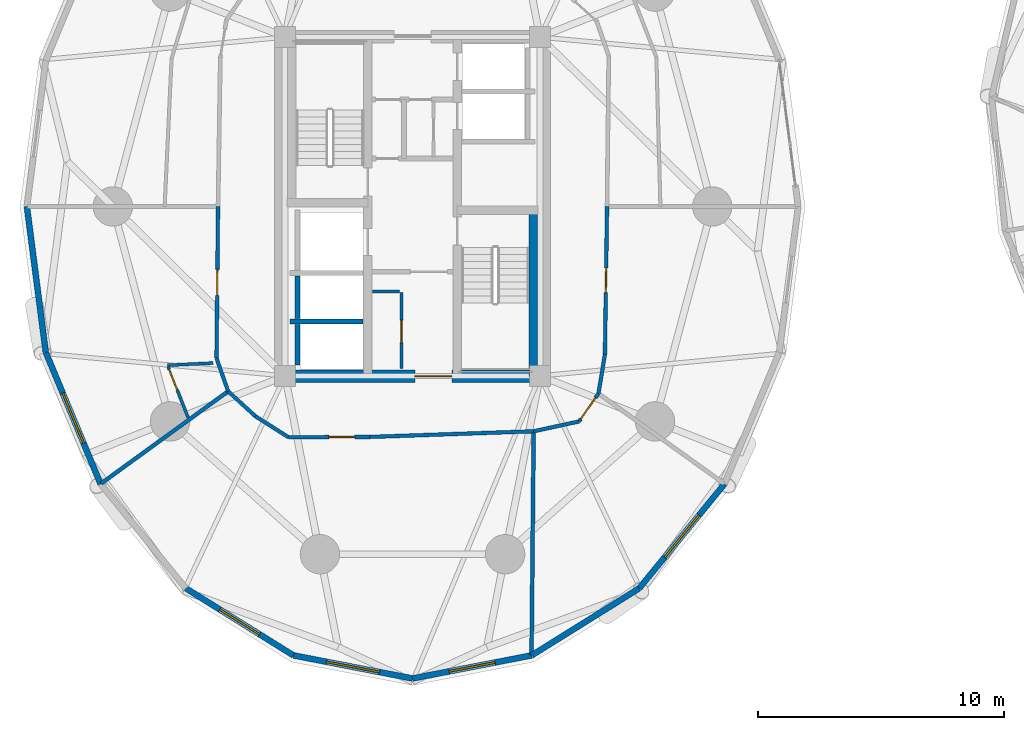
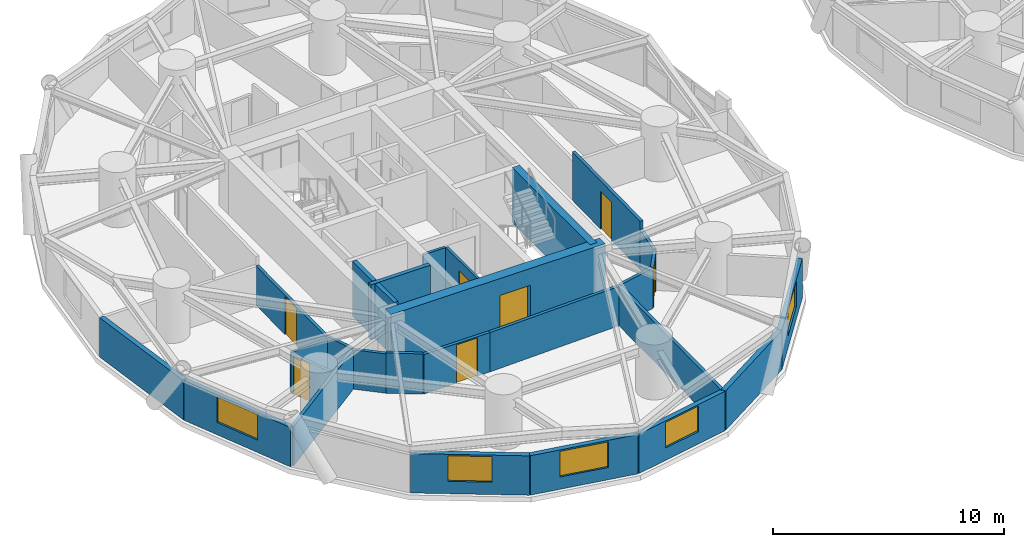
# One storey, part 8 of 16: 28 walls, 7 doors, 5 windows, 12 openings.
"""IFC4 building model written with IfcOpenShell, lengths in metres."""

from ifc_helpers import new_model, si_unit, direction, frame, frame_2d, origin, place, context, subcontext, project, spatial, rectangle, extrude, source, transform, mapped, material, layer, layer_set, type_object, element, fill, save


model = new_model("IFC4")

# Units and contexts
model_context = context("Model", 3, precision=1e-05, world=origin(), true_north=direction((0.0, 1.0)))
body_context = subcontext(model_context, "Body", "Model", "MODEL_VIEW")
ifc_project = project(units=[si_unit("LENGTHUNIT", "METRE"), si_unit("AREAUNIT", "SQUARE_METRE"), si_unit("VOLUMEUNIT", "CUBIC_METRE"), si_unit("PLANEANGLEUNIT", "RADIAN"), si_unit("MASSUNIT", "GRAM", prefix="KILO")], contexts=[model_context])

# Site, building, storey
site_placement = place(None, origin())
site = spatial("IfcSite", under=ifc_project, at=site_placement, CompositionType="ELEMENT")
building_placement = place(site_placement, origin())
building = spatial("IfcBuilding", under=site, at=building_placement, Name="Cununo Teusaquillo Station Towers", CompositionType="ELEMENT")
storey_placement = place(building_placement, frame((0.0, 0.0, 62.739990234375)))
storey = spatial("IfcBuildingStorey", under=building, at=storey_placement, Name="L19", CompositionType="ELEMENT", Elevation=62.739990234375)

# Walls
ifc_material_1 = material(Name="Concrete C50/60", Category="concrete")
ifc_layer_1 = layer(ifc_material_1, 0.199951171875)
ifc_layer_set_1 = layer_set([ifc_layer_1], Name="Concrete C50/60")
wall_type_1 = type_object("IfcWallType", Name="WL-CORE-200", PredefinedType="SHEAR", material=ifc_layer_set_1)
wall_1_placement = place(storey_placement, frame((11.52001953125, 19.824951171875, 0.0), z_axis=(0.0, 0.0, 1.0), x_axis=(1.0, 0.0, 0.0)))
element("IfcWall", 1, at=wall_1_placement, inside=storey, type_object=wall_type_1, Name="L19 Tower A High-Rise Lift Hoistway Divider Shear Wall", PredefinedType="SHEAR", context=body_context, shape_type="SweptSolid", body=[
    extrude(rectangle(XDim=2.969970703125, YDim=0.199951171875, at=frame_2d((1.48486328125, 0.0))), origin(), (0.0, 0.0, 1.0), 2.909912109375),
])
wall_2_placement = place(storey_placement, frame((11.820068359375, 19.945068359375, 0.0), z_axis=(0.0, 0.0, 1.0), x_axis=(0.0, 1.0, 0.0)))
element("IfcWall", 2, at=wall_2_placement, inside=storey, type_object=wall_type_1, Name="L19 Tower A High-Rise Lift 2 Shaft Rear Shear Wall", PredefinedType="SHEAR", context=body_context, shape_type="SweptSolid", body=[
    extrude(rectangle(XDim=1.73486328125, YDim=0.199951171875, at=frame_2d((0.867431640625, 0.0))), origin(), (0.0, 0.0, 1.0), 2.909912109375),
])
wall_3_placement = place(storey_placement, frame((11.820068359375, 18.070068359375, 0.0), z_axis=(0.0, 0.0, 1.0), x_axis=(0.0, 1.0, 0.0)))
element("IfcWall", 3, at=wall_3_placement, inside=storey, type_object=wall_type_1, Name="L19 Tower A High-Rise Lift 1 Shaft Rear Shear Wall", PredefinedType="SHEAR", context=body_context, shape_type="SweptSolid", body=[
    extrude(rectangle(XDim=1.635009765625, YDim=0.199951171875, at=frame_2d((0.8173828125, 0.0))), origin(), (0.0, 0.0, 1.0), 2.909912109375),
])
ifc_material_2 = material(Name="Concrete C50/60", Category="concrete")
ifc_layer_2 = layer(ifc_material_2, 0.35009765625)
ifc_layer_set_2 = layer_set([ifc_layer_2], Name="Concrete C50/60")
wall_type_2 = type_object("IfcWallType", Name="WL-CORE-350", PredefinedType="SHEAR", material=ifc_layer_set_2)
wall_4_placement = place(storey_placement, frame((21.405029296875, 17.60009765625, 0.0), z_axis=(0.0, 0.0, 1.0), x_axis=(0.0, 1.0, 0.0)))
element("IfcWall", 4, at=wall_4_placement, inside=storey, type_object=wall_type_2, Name="L19 Tower A Core Shear Wall ST2E", PredefinedType="SHEAR", context=body_context, shape_type="SweptSolid", body=[
    extrude(rectangle(XDim=6.744873046875, YDim=0.35009765625, at=frame_2d((3.37255859375, 0.0))), origin(), (0.0, 0.0, 1.0), 2.909912109375),
])

# Wall, opening, door
ifc_material_3 = material(Name="Concrete C60/75", Category="concrete")
ifc_layer_3 = layer(ifc_material_3, 0.5)
ifc_layer_set_3 = layer_set([ifc_layer_3], Name="Concrete C60/75")
wall_type_3 = type_object("IfcWallType", Name="WL-CORE-500", PredefinedType="SHEAR", material=ifc_layer_set_3)
wall_5_placement = place(storey_placement, frame((11.14990234375, 17.60009765625, 0.0), z_axis=(0.0, 0.0, 1.0), x_axis=(1.0, 0.0, 0.0)))
wall_5 = element("IfcWall", 5, at=wall_5_placement, inside=storey, type_object=wall_type_3, Name="L19 Tower A Core Shear Wall S", PredefinedType="SHEAR", context=body_context, shape_type="SweptSolid", body=[
    extrude(rectangle(XDim=10.7001953125, YDim=0.5, at=frame_2d((5.35009765625, 0.0))), origin(), (0.0, 0.0, 1.0), 2.909912109375),
])
shared_shape_1 = source(origin(), body_context, "Body", "SweptSolid", [
    extrude(rectangle(XDim=1.5, YDim=2.02001953125, at=frame_2d((0.75, 1.010009765625))), frame((0.0, 0.260009765625, 0.0), z_axis=(0.0, -1.0, 0.0), x_axis=(1.0, 0.0, 0.0)), (0.0, 0.0, 1.0), 0.52001953125),
])
opening_1_placement = place(wall_5_placement, frame((5.449951171875, 0.0, 0.0)))
opening_1 = element("IfcOpeningElement", 6, at=opening_1_placement, cuts=wall_5, Name="Opening D-LB1", PredefinedType="OPENING", context=body_context, shape_type="MappedRepresentation", body=[
    mapped(shared_shape_1, transform((0.0, 0.0, 0.0), x_axis=(1.0, 0.0, 0.0), y_axis=(0.0, 1.0, 0.0), z_axis=(0.0, 0.0, 1.0), scale=1.0)),
])
ifc_material_4 = material(Name="Galvanised fire-rated hollow steel door assembly", Category="steel")
door_type_1 = type_object("IfcDoorType", Name="DR-LOBBY-1500", OperationType="DOUBLE_DOOR_SINGLE_SWING", PredefinedType="DOOR", material=ifc_material_4)
shared_shape_2 = source(origin(), body_context, "Body", "SweptSolid", [
    extrude(rectangle(XDim=1.5, YDim=2.02001953125, at=frame_2d((0.75, 1.010009765625))), frame((0.0, 0.02490234375, 0.0), z_axis=(0.0, -1.0, 0.0), x_axis=(1.0, 0.0, 0.0)), (0.0, 0.0, 1.0), 0.050048828125),
])
door_1_placement = place(opening_1_placement, origin())
door_1 = element("IfcDoor", 7, at=door_1_placement, inside=storey, type_object=door_type_1, Name="L19 Tower A South Core Lift Lobby Door", OperationType="DOUBLE_DOOR_SINGLE_SWING", OverallHeight=2.02001953125, OverallWidth=1.5, PredefinedType="DOOR", context=body_context, shape_type="MappedRepresentation", body=[
    mapped(shared_shape_2, transform((0.0, 0.0, 0.0), x_axis=(1.0, 0.0, 0.0), y_axis=(0.0, 1.0, 0.0), z_axis=(0.0, 0.0, 1.0), scale=1.0)),
])
fill(opening_1, door_1)

# Wall
ifc_material_5 = material(Name="Precast concrete C40/50", Category="concrete")
ifc_layer_4 = layer(ifc_material_5, 0.239990234375)
ifc_layer_set_4 = layer_set([ifc_layer_4], Name="Precast concrete C40/50")
wall_type_4 = type_object("IfcWallType", Name="WL-EXT-240", PredefinedType="SOLIDWALL", material=ifc_layer_set_4)
wall_6_placement = place(storey_placement, frame((1.603515625, 18.576171875, 0.0), z_axis=(0.0, 0.0, 1.0), x_axis=(-0.128339641463, 0.991730274031, 0.0)))
element("IfcWall", 8, at=wall_6_placement, inside=storey, type_object=wall_type_4, Name="L19 Tower A Exterior Facade Wall C10", PredefinedType="SOLIDWALL", context=body_context, shape_type="SweptSolid", body=[
    extrude(rectangle(XDim=5.97314453125, YDim=0.239990234375, at=frame_2d((2.986572265625, 0.0))), origin(), (0.0, 0.0, 1.0), 2.0791015625),
])

# Wall, opening, window
wall_7_placement = place(storey_placement, frame((3.828369140625, 13.232177734375, 0.0), z_axis=(0.0, 0.0, 1.0), x_axis=(-0.384348836956, 0.923187939442, 0.0)))
wall_7 = element("IfcWall", 9, at=wall_7_placement, inside=storey, type_object=wall_type_4, Name="L19 Tower A Exterior Facade Wall C11", PredefinedType="SOLIDWALL", context=body_context, shape_type="SweptSolid", body=[
    extrude(rectangle(XDim=5.78857421875, YDim=0.239990234375, at=frame_2d((2.894287109375, 0.0))), origin(), (0.0, 0.0, 1.0), 2.0791015625),
])
shared_shape_3 = source(origin(), body_context, "Body", "SweptSolid", [
    extrude(rectangle(XDim=2.199951171875, YDim=1.35009765625, at=frame_2d((1.10009765625, 0.675048828125))), frame((0.0, 0.1298828125, 0.0), z_axis=(0.0, -1.0, 0.0), x_axis=(1.0, 0.0, 0.0)), (0.0, 0.0, 1.0), 0.260009765625),
])
opening_2_placement = place(wall_7_placement, frame((1.7939453125, 0.0, 0.64990234375)))
opening_2 = element("IfcOpeningElement", 10, at=opening_2_placement, cuts=wall_7, Name="Opening WN-01", PredefinedType="OPENING", context=body_context, shape_type="MappedRepresentation", body=[
    mapped(shared_shape_3, transform((0.0, 0.0, 0.0), x_axis=(1.0, 0.0, 0.0), y_axis=(0.0, 1.0, 0.0), z_axis=(0.0, 0.0, 1.0), scale=1.0)),
])
ifc_material_6 = material(Name="Ceramic-fritted dark low-E double glazing", Category="glass")
window_type_1 = type_object("IfcWindowType", Name="WIN-FRIT-2200", PartitioningType="DOUBLE_PANEL_VERTICAL", PredefinedType="WINDOW", material=ifc_material_6)
shared_shape_4 = source(origin(), body_context, "Body", "SweptSolid", [
    extrude(rectangle(XDim=2.199951171875, YDim=1.35009765625, at=frame_2d((1.10009765625, 0.675048828125))), frame((0.0, 0.030029296875, 0.0), z_axis=(0.0, -1.0, 0.0), x_axis=(1.0, 0.0, 0.0)), (0.0, 0.0, 1.0), 0.06005859375),
])
window_1_placement = place(opening_2_placement, origin())
window_1 = element("IfcWindow", 11, at=window_1_placement, inside=storey, type_object=window_type_1, Name="L19 Tower A Facade Window C11", OverallHeight=1.35009765625, OverallWidth=2.199951171875, PartitioningType="DOUBLE_PANEL_VERTICAL", PredefinedType="WINDOW", context=body_context, shape_type="MappedRepresentation", body=[
    mapped(shared_shape_4, transform((0.0, 0.0, 0.0), x_axis=(1.0, 0.0, 0.0), y_axis=(0.0, 1.0, 0.0), z_axis=(0.0, 0.0, 1.0), scale=1.0)),
])
fill(opening_2, window_1)

wall_8_placement = place(storey_placement, frame((11.659912109375, 6.268310546875, 0.0), z_axis=(0.0, 0.0, 1.0), x_axis=(-0.848533613342, 0.529141481107, 0.0)))
wall_8 = element("IfcWall", 12, at=wall_8_placement, inside=storey, type_object=wall_type_4, Name="L19 Tower A Exterior Facade Wall C13", PredefinedType="SOLIDWALL", context=body_context, shape_type="SweptSolid", body=[
    extrude(rectangle(XDim=5.14599609375, YDim=0.239990234375, at=frame_2d((2.572998046875, 0.0))), origin(), (0.0, 0.0, 1.0), 2.0791015625),
])
shared_shape_5 = source(origin(), body_context, "Body", "SweptSolid", [
    extrude(rectangle(XDim=1.89990234375, YDim=1.35009765625, at=frame_2d((0.949951171875, 0.675048828125))), frame((0.0, 0.1298828125, 0.0), z_axis=(0.0, -1.0, 0.0), x_axis=(1.0, 0.0, 0.0)), (0.0, 0.0, 1.0), 0.260009765625),
])
opening_3_placement = place(wall_8_placement, frame((1.623046875, 0.0, 0.64990234375)))
opening_3 = element("IfcOpeningElement", 13, at=opening_3_placement, cuts=wall_8, Name="Opening WN-02", PredefinedType="OPENING", context=body_context, shape_type="MappedRepresentation", body=[
    mapped(shared_shape_5, transform((0.0, 0.0, 0.0), x_axis=(1.0, 0.0, 0.0), y_axis=(0.0, 1.0, 0.0), z_axis=(0.0, 0.0, 1.0), scale=1.0)),
])
ifc_material_7 = material(Name="Operable acoustic tinted low-E double glazing", Category="glass")
window_type_2 = type_object("IfcWindowType", Name="WIN-OPER-1900", PartitioningType="DOUBLE_PANEL_VERTICAL", PredefinedType="WINDOW", material=ifc_material_7)
shared_shape_6 = source(origin(), body_context, "Body", "SweptSolid", [
    extrude(rectangle(XDim=1.89990234375, YDim=1.35009765625, at=frame_2d((0.949951171875, 0.675048828125))), frame((0.0, 0.030029296875, 0.0), z_axis=(0.0, -1.0, 0.0), x_axis=(1.0, 0.0, 0.0)), (0.0, 0.0, 1.0), 0.06005859375),
])
window_2_placement = place(opening_3_placement, origin())
window_2 = element("IfcWindow", 14, at=window_2_placement, inside=storey, type_object=window_type_2, Name="L19 Tower A Facade Window C13", OverallHeight=1.35009765625, OverallWidth=1.89990234375, PartitioningType="DOUBLE_PANEL_VERTICAL", PredefinedType="WINDOW", context=body_context, shape_type="MappedRepresentation", body=[
    mapped(shared_shape_6, transform((0.0, 0.0, 0.0), x_axis=(1.0, 0.0, 0.0), y_axis=(0.0, 1.0, 0.0), z_axis=(0.0, 0.0, 1.0), scale=1.0)),
])
fill(opening_3, window_2)

wall_9_placement = place(storey_placement, frame((16.5, 5.330078125, 0.0), z_axis=(0.0, 0.0, 1.0), x_axis=(-0.981725274071, 0.190303668512, 0.0)))
wall_9 = element("IfcWall", 15, at=wall_9_placement, inside=storey, type_object=wall_type_4, Name="L19 Tower A Exterior Facade Wall C14", PredefinedType="SOLIDWALL", context=body_context, shape_type="SweptSolid", body=[
    extrude(rectangle(XDim=4.93017578125, YDim=0.239990234375, at=frame_2d((2.465087890625, 0.0))), origin(), (0.0, 0.0, 1.0), 2.0791015625),
])
opening_4_placement = place(wall_9_placement, frame((1.364990234375, 0.0, 0.64990234375)))
opening_4 = element("IfcOpeningElement", 16, at=opening_4_placement, cuts=wall_9, Name="Opening WN-01", PredefinedType="OPENING", context=body_context, shape_type="MappedRepresentation", body=[
    mapped(shared_shape_3, transform((0.0, 0.0, 0.0), x_axis=(1.0, 0.0, 0.0), y_axis=(0.0, 1.0, 0.0), z_axis=(0.0, 0.0, 1.0), scale=1.0)),
])
window_3_placement = place(opening_4_placement, origin())
window_3 = element("IfcWindow", 17, at=window_3_placement, inside=storey, type_object=window_type_1, Name="L19 Tower A Facade Window C14", OverallHeight=1.35009765625, OverallWidth=2.199951171875, PartitioningType="DOUBLE_PANEL_VERTICAL", PredefinedType="WINDOW", context=body_context, shape_type="MappedRepresentation", body=[
    mapped(shared_shape_4, transform((0.0, 0.0, 0.0), x_axis=(1.0, 0.0, 0.0), y_axis=(0.0, 1.0, 0.0), z_axis=(0.0, 0.0, 1.0), scale=1.0)),
])
fill(opening_4, window_3)

wall_10_placement = place(storey_placement, frame((21.340087890625, 6.268310546875, 0.0), z_axis=(0.0, 0.0, 1.0), x_axis=(-0.981725274071, -0.190303668512, 0.0)))
wall_10 = element("IfcWall", 18, at=wall_10_placement, inside=storey, type_object=wall_type_4, Name="L19 Tower A Exterior Facade Wall C15", PredefinedType="SOLIDWALL", context=body_context, shape_type="SweptSolid", body=[
    extrude(rectangle(XDim=4.93017578125, YDim=0.239990234375, at=frame_2d((2.465087890625, 0.0))), origin(), (0.0, 0.0, 1.0), 2.0791015625),
])
opening_5_placement = place(wall_10_placement, frame((1.514892578125, 0.0, 0.64990234375)))
opening_5 = element("IfcOpeningElement", 19, at=opening_5_placement, cuts=wall_10, Name="Opening WN-02", PredefinedType="OPENING", context=body_context, shape_type="MappedRepresentation", body=[
    mapped(shared_shape_5, transform((0.0, 0.0, 0.0), x_axis=(1.0, 0.0, 0.0), y_axis=(0.0, 1.0, 0.0), z_axis=(0.0, 0.0, 1.0), scale=1.0)),
])
window_4_placement = place(opening_5_placement, origin())
window_4 = element("IfcWindow", 20, at=window_4_placement, inside=storey, type_object=window_type_2, Name="L19 Tower A Facade Window C15", OverallHeight=1.35009765625, OverallWidth=1.89990234375, PartitioningType="DOUBLE_PANEL_VERTICAL", PredefinedType="WINDOW", context=body_context, shape_type="MappedRepresentation", body=[
    mapped(shared_shape_6, transform((0.0, 0.0, 0.0), x_axis=(1.0, 0.0, 0.0), y_axis=(0.0, 1.0, 0.0), z_axis=(0.0, 0.0, 1.0), scale=1.0)),
])
fill(opening_5, window_4)

# Wall
wall_11_placement = place(storey_placement, frame((25.70654296875, 8.9912109375, 0.0), z_axis=(0.0, 0.0, 1.0), x_axis=(-0.848533613342, -0.529141481107, 0.0)))
element("IfcWall", 21, at=wall_11_placement, inside=storey, type_object=wall_type_4, Name="L19 Tower A Exterior Facade Wall C16", PredefinedType="SOLIDWALL", context=body_context, shape_type="SweptSolid", body=[
    extrude(rectangle(XDim=5.14599609375, YDim=0.239990234375, at=frame_2d((2.572998046875, 0.0))), origin(), (0.0, 0.0, 1.0), 2.0791015625),
])

# Wall, opening, window
wall_12_placement = place(storey_placement, frame((29.171630859375, 13.232177734375, 0.0), z_axis=(0.0, 0.0, 1.0), x_axis=(-0.632713287022, -0.77438614168, 0.0)))
wall_12 = element("IfcWall", 22, at=wall_12_placement, inside=storey, type_object=wall_type_4, Name="L19 Tower A Exterior Facade Wall C17", PredefinedType="SOLIDWALL", context=body_context, shape_type="SweptSolid", body=[
    extrude(rectangle(XDim=5.4765625, YDim=0.239990234375, at=frame_2d((2.73828125, 0.0))), origin(), (0.0, 0.0, 1.0), 2.0791015625),
])
opening_6_placement = place(wall_12_placement, frame((1.637939453125, 0.0, 0.64990234375)))
opening_6 = element("IfcOpeningElement", 23, at=opening_6_placement, cuts=wall_12, Name="Opening WN-01", PredefinedType="OPENING", context=body_context, shape_type="MappedRepresentation", body=[
    mapped(shared_shape_3, transform((0.0, 0.0, 0.0), x_axis=(1.0, 0.0, 0.0), y_axis=(0.0, 1.0, 0.0), z_axis=(0.0, 0.0, 1.0), scale=1.0)),
])
window_5_placement = place(opening_6_placement, origin())
window_5 = element("IfcWindow", 24, at=window_5_placement, inside=storey, type_object=window_type_1, Name="L19 Tower A Facade Window C17", OverallHeight=1.35009765625, OverallWidth=2.199951171875, PartitioningType="DOUBLE_PANEL_VERTICAL", PredefinedType="WINDOW", context=body_context, shape_type="MappedRepresentation", body=[
    mapped(shared_shape_4, transform((0.0, 0.0, 0.0), x_axis=(1.0, 0.0, 0.0), y_axis=(0.0, 1.0, 0.0), z_axis=(0.0, 0.0, 1.0), scale=1.0)),
])
fill(opening_6, window_5)

# Wall, opening, door
ifc_material_8 = material(Name="Fire-rated gypsum plasterboard partition assembly", Category="gypsum")
ifc_layer_5 = layer(ifc_material_8, 0.125)
ifc_layer_set_5 = layer_set([ifc_layer_5], Name="Fire-rated gypsum plasterboard partition assembly")
wall_type_5 = type_object("IfcWallType", Name="WL-PART-125", PredefinedType="PARTITIONING", material=ifc_layer_set_5)
wall_13_placement = place(storey_placement, frame((16.050048828125, 17.919921875, 0.0), z_axis=(0.0, 0.0, 1.0), x_axis=(0.0, 1.0, 0.0)))
wall_13 = element("IfcWall", 25, at=wall_13_placement, inside=storey, type_object=wall_type_5, Name="L19 Tower A South-West Tall Store East Wall", PredefinedType="PARTITIONING", context=body_context, shape_type="SweptSolid", body=[
    extrude(rectangle(XDim=3.080078125, YDim=0.125, at=frame_2d((1.5400390625, 0.0))), origin(), (0.0, 0.0, 1.0), 2.554931640625),
])
shared_shape_7 = source(origin(), body_context, "Body", "SweptSolid", [
    extrude(rectangle(XDim=0.89990234375, YDim=2.0048828125, at=frame_2d((0.449951171875, 1.00244140625))), frame((0.0, 0.072509765625, 0.0), z_axis=(0.0, -1.0, 0.0), x_axis=(1.0, 0.0, 0.0)), (0.0, 0.0, 1.0), 0.14501953125),
])
opening_7_placement = place(wall_13_placement, frame((1.050048828125, 0.0, 0.0)))
opening_7 = element("IfcOpeningElement", 26, at=opening_7_placement, cuts=wall_13, Name="Opening D-SR1", PredefinedType="OPENING", context=body_context, shape_type="MappedRepresentation", body=[
    mapped(shared_shape_7, transform((0.0, 0.0, 0.0), x_axis=(1.0, 0.0, 0.0), y_axis=(0.0, 1.0, 0.0), z_axis=(0.0, 0.0, 1.0), scale=1.0)),
])
ifc_material_9 = material(Name="Galvanised fire-rated hollow steel door assembly", Category="steel")
door_type_2 = type_object("IfcDoorType", Name="DR-STORE-900", OperationType="NOTDEFINED", PredefinedType="DOOR", material=ifc_material_9)
shared_shape_8 = source(origin(), body_context, "Body", "SweptSolid", [
    extrude(rectangle(XDim=0.89990234375, YDim=2.0048828125, at=frame_2d((0.449951171875, 1.00244140625))), frame((0.0, 0.02490234375, 0.0), z_axis=(0.0, -1.0, 0.0), x_axis=(1.0, 0.0, 0.0)), (0.0, 0.0, 1.0), 0.050048828125),
])
door_2_placement = place(opening_7_placement, origin())
door_2 = element("IfcDoor", 27, at=door_2_placement, inside=storey, type_object=door_type_2, Name="L19 Tower A South Cleaners Store Door", OperationType="SINGLE_SWING_RIGHT", OverallHeight=2.0048828125, OverallWidth=0.89990234375, PredefinedType="DOOR", context=body_context, shape_type="MappedRepresentation", body=[
    mapped(shared_shape_8, transform((0.0, 0.0, 0.0), x_axis=(1.0, 0.0, 0.0), y_axis=(0.0, 1.0, 0.0), z_axis=(0.0, 0.0, 1.0), scale=1.0)),
])
fill(opening_7, door_2)

# Walls
wall_14_placement = place(storey_placement, frame((14.8798828125, 21.050048828125, 0.0), z_axis=(0.0, 0.0, 1.0), x_axis=(1.0, 0.0, 0.0)))
element("IfcWall", 28, at=wall_14_placement, inside=storey, type_object=wall_type_5, Name="L19 Tower A South-West Tall Store North Wall", PredefinedType="PARTITIONING", context=body_context, shape_type="SweptSolid", body=[
    extrude(rectangle(XDim=1.10009765625, YDim=0.125, at=frame_2d((0.550048828125, 0.0))), origin(), (0.0, 0.0, 1.0), 2.554931640625),
])
wall_15_placement = place(storey_placement, frame((8.404296875, 18.140380859375, 0.0), z_axis=(0.0, 0.0, 1.0), x_axis=(-0.998892680948, -0.047046912219, 0.0)))
element("IfcWall", 29, at=wall_15_placement, inside=storey, type_object=wall_type_5, Name="L19 Tower A S04 En-suite Side Wall", PredefinedType="PARTITIONING", context=body_context, shape_type="SweptSolid", body=[
    extrude(rectangle(XDim=1.857666015625, YDim=0.125, at=frame_2d((0.9287109375, 0.0))), origin(), (0.0, 0.0, 1.0), 2.125),
])

# Wall, opening, door
wall_16_placement = place(storey_placement, frame((6.57373046875, 17.988525390625, 0.0), z_axis=(0.0, 0.0, 1.0), x_axis=(0.365563636102, -0.930786349255, 0.0)))
wall_16 = element("IfcWall", 30, at=wall_16_placement, inside=storey, type_object=wall_type_5, Name="L19 Tower A S04 En-suite Back Wall", PredefinedType="PARTITIONING", context=body_context, shape_type="SweptSolid", body=[
    extrude(rectangle(XDim=2.213134765625, YDim=0.125, at=frame_2d((1.1064453125, 0.0))), origin(), (0.0, 0.0, 1.0), 2.0791015625),
])
opening_8_placement = place(wall_16_placement, frame((0.1201171875, 0.0, 0.0)))
opening_8 = element("IfcOpeningElement", 31, at=opening_8_placement, cuts=wall_16, Name="Opening D-IN1", PredefinedType="OPENING", context=body_context, shape_type="MappedRepresentation", body=[
    mapped(shared_shape_7, transform((0.0, 0.0, 0.0), x_axis=(1.0, 0.0, 0.0), y_axis=(0.0, 1.0, 0.0), z_axis=(0.0, 0.0, 1.0), scale=1.0)),
])
ifc_material_10 = material(Name="Acoustic solid-core hardwood leaf assembly", Category="wood")
door_type_3 = type_object("IfcDoorType", Name="DR-INT-900", OperationType="NOTDEFINED", PredefinedType="DOOR", material=ifc_material_10)
door_3_placement = place(opening_8_placement, origin())
door_3 = element("IfcDoor", 32, at=door_3_placement, inside=storey, type_object=door_type_3, Name="L19 Tower A S04 En-suite Bathroom Door", OperationType="SINGLE_SWING_LEFT", OverallHeight=2.0048828125, OverallWidth=0.89990234375, PredefinedType="DOOR", context=body_context, shape_type="MappedRepresentation", body=[
    mapped(shared_shape_8, transform((0.0, 0.0, 0.0), x_axis=(1.0, 0.0, 0.0), y_axis=(0.0, 1.0, 0.0), z_axis=(0.0, 0.0, 1.0), scale=1.0)),
])
fill(opening_8, door_3)

ifc_material_11 = material(Name="Fire-rated gypsum plasterboard partition assembly", Category="gypsum")
ifc_layer_6 = layer(ifc_material_11, 0.14990234375)
ifc_layer_set_6 = layer_set([ifc_layer_6], Name="Fire-rated gypsum plasterboard partition assembly")
wall_type_6 = type_object("IfcWallType", Name="WL-PART-150", PredefinedType="PARTITIONING", material=ifc_layer_set_6)
wall_17_placement = place(storey_placement, frame((8.60009765625, 24.5, 0.0), z_axis=(0.0, 0.0, 1.0), x_axis=(-0.010023665349, -0.999949761805, 0.0)))
wall_17 = element("IfcWall", 33, at=wall_17_placement, inside=storey, type_object=wall_type_6, Name="L19 Tower A Corridor Ring Wall C10", PredefinedType="PARTITIONING", context=body_context, shape_type="SweptSolid", body=[
    extrude(rectangle(XDim=6.162109375, YDim=0.14990234375, at=frame_2d((3.0810546875, 0.0))), origin(), (0.0, 0.0, 1.0), 2.0791015625),
])
shared_shape_9 = source(origin(), body_context, "Body", "SweptSolid", [
    extrude(rectangle(XDim=1.050048828125, YDim=2.014892578125, at=frame_2d((0.52490234375, 1.00732421875))), frame((0.0, 0.0849609375, 0.0), z_axis=(0.0, -1.0, 0.0), x_axis=(1.0, 0.0, 0.0)), (0.0, 0.0, 1.0), 0.169921875),
])
opening_9_placement = place(wall_17_placement, frame((2.55615234375, 0.0, 0.0)))
opening_9 = element("IfcOpeningElement", 34, at=opening_9_placement, cuts=wall_17, Name="Opening D-SU1", PredefinedType="OPENING", context=body_context, shape_type="MappedRepresentation", body=[
    mapped(shared_shape_9, transform((0.0, 0.0, 0.0), x_axis=(1.0, 0.0, 0.0), y_axis=(0.0, 1.0, 0.0), z_axis=(0.0, 0.0, 1.0), scale=1.0)),
])
ifc_material_12 = material(Name="Acoustic solid-core hardwood leaf assembly", Category="wood")
door_type_4 = type_object("IfcDoorType", Name="DR-SUITE-1050", OperationType="NOTDEFINED", PredefinedType="DOOR", material=ifc_material_12)
shared_shape_10 = source(origin(), body_context, "Body", "SweptSolid", [
    extrude(rectangle(XDim=1.050048828125, YDim=2.014892578125, at=frame_2d((0.52490234375, 1.00732421875))), frame((0.0, 0.02490234375, 0.0), z_axis=(0.0, -1.0, 0.0), x_axis=(1.0, 0.0, 0.0)), (0.0, 0.0, 1.0), 0.050048828125),
])
door_4_placement = place(opening_9_placement, origin())
door_4 = element("IfcDoor", 35, at=door_4_placement, inside=storey, type_object=door_type_4, Name="L19 Tower A Executive Wellness Hotel Suite Entrance Door", OperationType="SINGLE_SWING_RIGHT", OverallHeight=2.014892578125, OverallWidth=1.050048828125, PredefinedType="DOOR", context=body_context, shape_type="MappedRepresentation", body=[
    mapped(shared_shape_10, transform((0.0, 0.0, 0.0), x_axis=(1.0, 0.0, 0.0), y_axis=(0.0, 1.0, 0.0), z_axis=(0.0, 0.0, 1.0), scale=1.0)),
])
fill(opening_9, door_4)

# Walls
wall_18_placement = place(storey_placement, frame((8.538330078125, 18.338134765625, 0.0), z_axis=(0.0, 0.0, 1.0), x_axis=(0.331358150167, -0.94350504838, 0.0)))
element("IfcWall", 36, at=wall_18_placement, inside=storey, type_object=wall_type_6, Name="L19 Tower A Corridor Ring Wall C11", PredefinedType="PARTITIONING", context=body_context, shape_type="SweptSolid", body=[
    extrude(rectangle(XDim=1.42431640625, YDim=0.14990234375, at=frame_2d((0.712158203125, 0.0))), origin(), (0.0, 0.0, 1.0), 2.125),
])
wall_19_placement = place(storey_placement, frame((9.01025390625, 16.994384765625, 0.0), z_axis=(0.0, 0.0, 1.0), x_axis=(0.737701798986, -0.67512669609, 0.0)))
element("IfcWall", 37, at=wall_19_placement, inside=storey, type_object=wall_type_6, Name="L19 Tower A Corridor Ring Wall C12", PredefinedType="PARTITIONING", context=body_context, shape_type="SweptSolid", body=[
    extrude(rectangle(XDim=1.498291015625, YDim=0.14990234375, at=frame_2d((0.7490234375, 0.0))), origin(), (0.0, 0.0, 1.0), 2.0791015625),
])
wall_20_placement = place(storey_placement, frame((10.115478515625, 15.98291015625, 0.0), z_axis=(0.0, 0.0, 1.0), x_axis=(0.843995849351, -0.536349705209, 0.0)))
element("IfcWall", 38, at=wall_20_placement, inside=storey, type_object=wall_type_6, Name="L19 Tower A Corridor Ring Wall C13", PredefinedType="PARTITIONING", context=body_context, shape_type="SweptSolid", body=[
    extrude(rectangle(XDim=1.5927734375, YDim=0.14990234375, at=frame_2d((0.79638671875, 0.0))), origin(), (0.0, 0.0, 1.0), 2.125),
])

# Wall, opening, door
wall_21_placement = place(storey_placement, frame((11.459716796875, 15.128662109375, 0.0), z_axis=(0.0, 0.0, 1.0), x_axis=(0.999993513287, 0.003601858435, 0.0)))
wall_21 = element("IfcWall", 39, at=wall_21_placement, inside=storey, type_object=wall_type_6, Name="L19 Tower A Corridor Ring Wall C14", PredefinedType="PARTITIONING", context=body_context, shape_type="SweptSolid", body=[
    extrude(rectangle(XDim=3.3212890625, YDim=0.14990234375, at=frame_2d((1.66064453125, 0.0))), origin(), (0.0, 0.0, 1.0), 2.0791015625),
])
opening_10_placement = place(wall_21_placement, frame((1.643310546875, 0.0, 0.0)))
opening_10 = element("IfcOpeningElement", 40, at=opening_10_placement, cuts=wall_21, Name="Opening D-SU1", PredefinedType="OPENING", context=body_context, shape_type="MappedRepresentation", body=[
    mapped(shared_shape_9, transform((0.0, 0.0, 0.0), x_axis=(1.0, 0.0, 0.0), y_axis=(0.0, 1.0, 0.0), z_axis=(0.0, 0.0, 1.0), scale=1.0)),
])
door_5_placement = place(opening_10_placement, origin())
door_5 = element("IfcDoor", 41, at=door_5_placement, inside=storey, type_object=door_type_4, Name="L19 Tower A Botanical Relaxation Tea Lounge Entrance Door", OperationType="SINGLE_SWING_RIGHT", OverallHeight=2.014892578125, OverallWidth=1.050048828125, PredefinedType="DOOR", context=body_context, shape_type="MappedRepresentation", body=[
    mapped(shared_shape_10, transform((0.0, 0.0, 0.0), x_axis=(1.0, 0.0, 0.0), y_axis=(0.0, 1.0, 0.0), z_axis=(0.0, 0.0, 1.0), scale=1.0)),
])
fill(opening_10, door_5)

# Walls
wall_22_placement = place(storey_placement, frame((14.781005859375, 15.140625, 0.0), z_axis=(0.0, 0.0, 1.0), x_axis=(0.999407918707, 0.034406569513, 0.0)))
element("IfcWall", 42, at=wall_22_placement, inside=storey, type_object=wall_type_6, Name="L19 Tower A Corridor Ring Wall C15", PredefinedType="PARTITIONING", context=body_context, shape_type="SweptSolid", body=[
    extrude(rectangle(XDim=6.6416015625, YDim=0.14990234375, at=frame_2d((3.32080078125, 0.0))), origin(), (0.0, 0.0, 1.0), 2.0791015625),
])
wall_23_placement = place(storey_placement, frame((21.418701171875, 15.369140625, 0.0), z_axis=(0.0, 0.0, 1.0), x_axis=(0.977192701953, 0.212354475464, 0.0)))
element("IfcWall", 43, at=wall_23_placement, inside=storey, type_object=wall_type_6, Name="L19 Tower A Corridor Ring Wall C16", PredefinedType="PARTITIONING", context=body_context, shape_type="SweptSolid", body=[
    extrude(rectangle(XDim=1.8876953125, YDim=0.14990234375, at=frame_2d((0.94384765625, 0.0))), origin(), (0.0, 0.0, 1.0), 2.125),
])

# Wall, opening, door
wall_24_placement = place(storey_placement, frame((23.263427734375, 15.77001953125, 0.0), z_axis=(0.0, 0.0, 1.0), x_axis=(0.570743456919, 0.821128434768, 0.0)))
wall_24 = element("IfcWall", 44, at=wall_24_placement, inside=storey, type_object=wall_type_6, Name="L19 Tower A Corridor Ring Wall C17", PredefinedType="PARTITIONING", context=body_context, shape_type="SweptSolid", body=[
    extrude(rectangle(XDim=1.381591796875, YDim=0.14990234375, at=frame_2d((0.69091796875, 0.0))), origin(), (0.0, 0.0, 1.0), 2.0791015625),
])
opening_11_placement = place(wall_24_placement, frame((0.1201171875, 0.0, 0.0)))
opening_11 = element("IfcOpeningElement", 45, at=opening_11_placement, cuts=wall_24, Name="Opening D-SU1", PredefinedType="OPENING", context=body_context, shape_type="MappedRepresentation", body=[
    mapped(shared_shape_9, transform((0.0, 0.0, 0.0), x_axis=(1.0, 0.0, 0.0), y_axis=(0.0, 1.0, 0.0), z_axis=(0.0, 0.0, 1.0), scale=1.0)),
])
door_6_placement = place(opening_11_placement, origin())
door_6 = element("IfcDoor", 46, at=door_6_placement, inside=storey, type_object=door_type_4, Name="L19 Tower A Hotel Housekeeping & Linen Pantry Entrance Door", OperationType="SINGLE_SWING_LEFT", OverallHeight=2.014892578125, OverallWidth=1.050048828125, PredefinedType="DOOR", context=body_context, shape_type="MappedRepresentation", body=[
    mapped(shared_shape_10, transform((0.0, 0.0, 0.0), x_axis=(1.0, 0.0, 0.0), y_axis=(0.0, 1.0, 0.0), z_axis=(0.0, 0.0, 1.0), scale=1.0)),
])
fill(opening_11, door_6)

# Wall
wall_25_placement = place(storey_placement, frame((24.052001953125, 16.904541015625, 0.0), z_axis=(0.0, 0.0, 1.0), x_axis=(0.162091534225, 0.986775726562, 0.0)))
element("IfcWall", 47, at=wall_25_placement, inside=storey, type_object=wall_type_6, Name="L19 Tower A Corridor Ring Wall C18", PredefinedType="PARTITIONING", context=body_context, shape_type="SweptSolid", body=[
    extrude(rectangle(XDim=1.613037109375, YDim=0.14990234375, at=frame_2d((0.806640625, 0.0))), origin(), (0.0, 0.0, 1.0), 2.125),
])

# Wall, opening, door
wall_26_placement = place(storey_placement, frame((24.3134765625, 18.496337890625, 0.0), z_axis=(0.0, 0.0, 1.0), x_axis=(0.014394019188, 0.999896400739, 0.0)))
wall_26 = element("IfcWall", 48, at=wall_26_placement, inside=storey, type_object=wall_type_6, Name="L19 Tower A Corridor Ring Wall C19", PredefinedType="PARTITIONING", context=body_context, shape_type="SweptSolid", body=[
    extrude(rectangle(XDim=6.00439453125, YDim=0.14990234375, at=frame_2d((3.002197265625, 0.0))), origin(), (0.0, 0.0, 1.0), 2.554931640625),
])
shared_shape_11 = source(origin(), body_context, "Body", "SweptSolid", [
    extrude(rectangle(XDim=1.0, YDim=2.014892578125, at=frame_2d((0.5, 1.00732421875))), frame((0.0, 0.0849609375, 0.0), z_axis=(0.0, -1.0, 0.0), x_axis=(1.0, 0.0, 0.0)), (0.0, 0.0, 1.0), 0.169921875),
])
opening_12_placement = place(wall_26_placement, frame((2.502197265625, 0.0, 0.0)))
opening_12 = element("IfcOpeningElement", 49, at=opening_12_placement, cuts=wall_26, Name="Opening D-AC1", PredefinedType="OPENING", context=body_context, shape_type="MappedRepresentation", body=[
    mapped(shared_shape_11, transform((0.0, 0.0, 0.0), x_axis=(1.0, 0.0, 0.0), y_axis=(0.0, 1.0, 0.0), z_axis=(0.0, 0.0, 1.0), scale=1.0)),
])
ifc_material_13 = material(Name="Acoustic solid-core hardwood leaf assembly", Category="wood")
door_type_5 = type_object("IfcDoorType", Name="DR-ACC-1000", OperationType="NOTDEFINED", PredefinedType="DOOR", material=ifc_material_13)
shared_shape_12 = source(origin(), body_context, "Body", "SweptSolid", [
    extrude(rectangle(XDim=1.0, YDim=2.014892578125, at=frame_2d((0.5, 1.00732421875))), frame((0.0, 0.02490234375, 0.0), z_axis=(0.0, -1.0, 0.0), x_axis=(1.0, 0.0, 0.0)), (0.0, 0.0, 1.0), 0.050048828125),
])
door_7_placement = place(opening_12_placement, origin())
door_7 = element("IfcDoor", 50, at=door_7_placement, inside=storey, type_object=door_type_5, Name="L19 Tower A Public Accessible Restroom WC Entrance Door", OperationType="SINGLE_SWING_RIGHT", OverallHeight=2.014892578125, OverallWidth=1.0, PredefinedType="DOOR", context=body_context, shape_type="MappedRepresentation", body=[
    mapped(shared_shape_12, transform((0.0, 0.0, 0.0), x_axis=(1.0, 0.0, 0.0), y_axis=(0.0, 1.0, 0.0), z_axis=(0.0, 0.0, 1.0), scale=1.0)),
])
fill(opening_12, door_7)

# Walls
ifc_material_14 = material(Name="Fire-rated gypsum plasterboard partition assembly", Category="gypsum")
ifc_layer_7 = layer(ifc_material_14, 0.159912109375)
ifc_layer_set_7 = layer_set([ifc_layer_7], Name="Fire-rated gypsum plasterboard partition assembly")
wall_type_7 = type_object("IfcWallType", Name="WL-PART-160", PredefinedType="PARTITIONING", material=ifc_layer_set_7)
wall_27_placement = place(storey_placement, frame((9.01025390625, 16.994384765625, 0.0), z_axis=(0.0, 0.0, 1.0), x_axis=(-0.809215422166, -0.58751204288, 0.0)))
element("IfcWall", 51, at=wall_27_placement, inside=storey, type_object=wall_type_7, Name="L19 Tower A Radial Suite Partition R05", PredefinedType="PARTITIONING", context=body_context, shape_type="SweptSolid", body=[
    extrude(rectangle(XDim=6.3837890625, YDim=0.159912109375, at=frame_2d((3.19189453125, 0.0))), origin(), (0.0, 0.0, 1.0), 2.0791015625),
])
wall_28_placement = place(storey_placement, frame((21.418701171875, 15.369140625, 0.0), z_axis=(0.0, 0.0, 1.0), x_axis=(-0.009327801925, -0.999956495109, 0.0)))
element("IfcWall", 52, at=wall_28_placement, inside=storey, type_object=wall_type_7, Name="L19 Tower A Radial Suite Partition R06", PredefinedType="PARTITIONING", context=body_context, shape_type="SweptSolid", body=[
    extrude(rectangle(XDim=9.082275390625, YDim=0.159912109375, at=frame_2d((4.541015625, 0.0))), origin(), (0.0, 0.0, 1.0), 2.0791015625),
])

save(model, "model.ifc")
